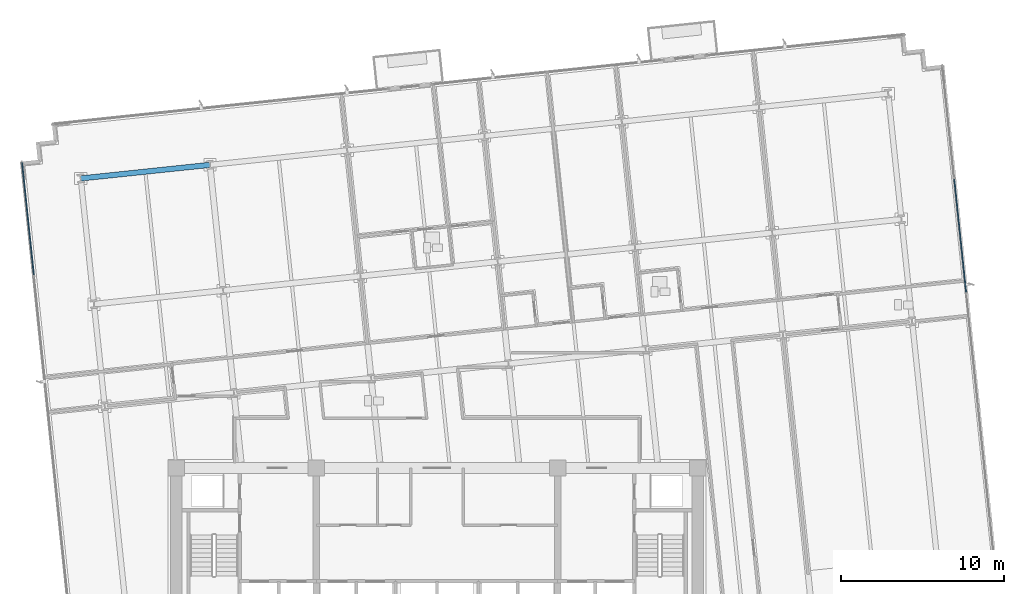
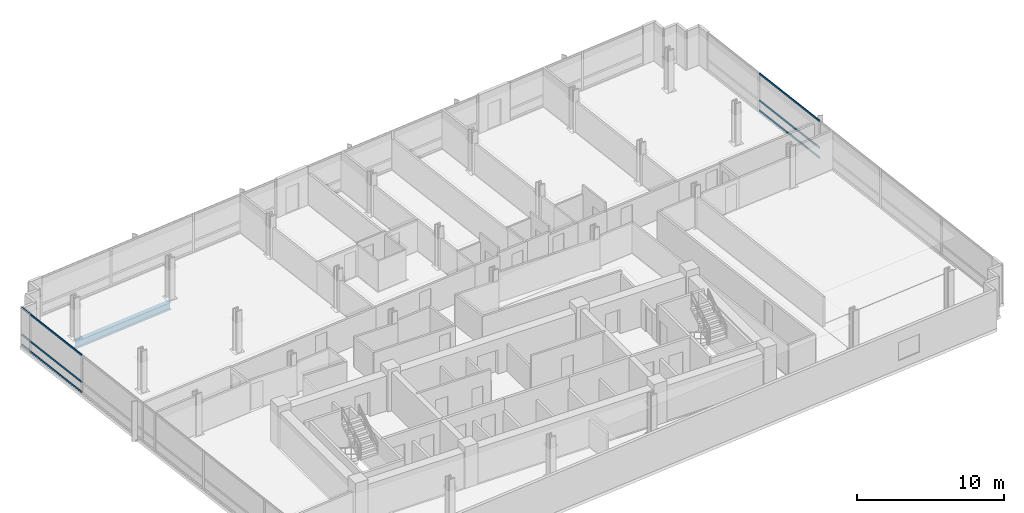
# One storey, part 6 of 17: 6 members, 1 beam, 2 elements without a shape of their own.
"""IFC4 building model written with IfcOpenShell, lengths in metres."""

from ifc_helpers import new_model, si_unit, direction, frame, origin, origin_2d, place, context, subcontext, project, spatial, rectangle, i_section, extrude, material, material_profile, profile_set, type_object, element, aggregate, save


model = new_model("IFC4")

# Units and contexts
model_context = context("Model", 3, precision=1e-05, world=origin(), true_north=direction((0.0, 1.0)))
body_context = subcontext(model_context, "Body", "Model", "MODEL_VIEW")
ifc_project = project(units=[si_unit("LENGTHUNIT", "METRE"), si_unit("AREAUNIT", "SQUARE_METRE"), si_unit("VOLUMEUNIT", "CUBIC_METRE"), si_unit("PLANEANGLEUNIT", "RADIAN"), si_unit("MASSUNIT", "GRAM", prefix="KILO")], contexts=[model_context])

# Site, building, storey
site_placement = place(None, origin())
site = spatial("IfcSite", under=ifc_project, at=site_placement, CompositionType="ELEMENT")
building_placement = place(site_placement, origin())
building = spatial("IfcBuilding", under=site, at=building_placement, Name="Solmavex Isthmus Hotel", CompositionType="ELEMENT")
storey_placement = place(building_placement, frame((0.0, 0.0, 93.89990234375)))
storey = spatial("IfcBuildingStorey", under=building, at=storey_placement, Name="L25", CompositionType="ELEMENT", Elevation=93.89990234375)

# Beam
ifc_material_1 = material(Name="Steel ASTM A992 Grade 50", Category="steel")
ifc_material_profile_1 = material_profile(ifc_material_1, i_section(OverallWidth=0.326416015625, OverallDepth=0.621826171875, WebThickness=0.015380859375, FlangeThickness=0.0244140625, FilletRadius=0.01513671875, at=origin_2d()), Name="W24X131")
ifc_profile_set_1 = profile_set([ifc_material_profile_1], Name="Steel ASTM A992 Grade 50")
beam_type = type_object("IfcBeamType", Name="BM-SP-W24X131", PredefinedType="SPANDREL", material=ifc_profile_set_1)
beam_placement = place(storey_placement, frame((-21.851806640625, 15.2587890625, -0.57080078125), z_axis=(0.994523402738, 0.104514120609, 0.0), x_axis=(-0.104514120609, 0.994523402738, 0.0)))
element("IfcBeam", 1, at=beam_placement, inside=storey, type_object=beam_type, Name="Floor Girder L25-UG19", PredefinedType="SPANDREL", context=body_context, shape_type="SweptSolid", body=[
    extrude(i_section(OverallWidth=0.326416015625, OverallDepth=0.621826171875, WebThickness=0.015380859375, FlangeThickness=0.0244140625, FilletRadius=0.01513671875, at=origin_2d()), origin(), (0.0, 0.0, 1.0), 7.968017578125),
])

# Curtain wall, members
ifc_material_2 = material(Name="Aluminium alloy 6063-T6", Category="aluminium")
curtain_wall_type = type_object("IfcCurtainWallType", Name="CW-SYS-03", PredefinedType="NOTDEFINED", material=ifc_material_2)
curtain_wall_1_placement = place(storey_placement, origin())
curtain_wall_1 = element("IfcCurtainWall", 2, at=curtain_wall_1_placement, inside=storey, type_object=curtain_wall_type, Name="Stick Curtain Wall CWL-L25-W1", PredefinedType="NOTDEFINED")
ifc_material_profile_2 = material_profile(ifc_material_2, rectangle(XDim=0.070068359375, YDim=0.139892578125, at=origin_2d()), Name="CWT-70X140")
ifc_profile_set_2 = profile_set([ifc_material_profile_2], Name="Aluminium alloy 6063-T6")
member_type = type_object("IfcMemberType", Name="CW-SYS-03-TRN", PredefinedType="USERDEFINED", material=ifc_profile_set_2)
member_1_placement = place(storey_placement, frame((-24.728759765625, 9.340576171875, 0.070068359375), z_axis=(-0.104539595565, 0.994520725254, 0.0), x_axis=(-0.994520725254, -0.104539595565, 0.0)))
member_1 = element("IfcMember", 3, at=member_1_placement, type_object=member_type, Name="CW-03 transom 5.1", ObjectType="TRANSOM", PredefinedType="USERDEFINED", context=body_context, shape_type="SweptSolid", body=[
    extrude(rectangle(XDim=0.070068359375, YDim=0.139892578125, at=origin_2d()), origin(), (0.0, 0.0, 1.0), 6.9150390625),
])
member_2_placement = place(storey_placement, frame((-24.728759765625, 9.340576171875, 0.900146484375), z_axis=(-0.104539595565, 0.994520725254, 0.0), x_axis=(-0.994520725254, -0.104539595565, 0.0)))
member_2 = element("IfcMember", 4, at=member_2_placement, type_object=member_type, Name="CW-03 transom 5.2", ObjectType="TRANSOM", PredefinedType="USERDEFINED", context=body_context, shape_type="SweptSolid", body=[
    extrude(rectangle(XDim=0.070068359375, YDim=0.139892578125, at=origin_2d()), origin(), (0.0, 0.0, 1.0), 6.9150390625),
])
member_3_placement = place(storey_placement, frame((-24.728759765625, 9.340576171875, 3.1201171875), z_axis=(-0.104539595565, 0.994520725254, 0.0), x_axis=(-0.994520725254, -0.104539595565, 0.0)))
member_3 = element("IfcMember", 5, at=member_3_placement, type_object=member_type, Name="CW-03 transom 5.3", ObjectType="TRANSOM", PredefinedType="USERDEFINED", context=body_context, shape_type="SweptSolid", body=[
    extrude(rectangle(XDim=0.070068359375, YDim=0.139892578125, at=origin_2d()), origin(), (0.0, 0.0, 1.0), 6.9150390625),
])
aggregate(curtain_wall_1, [member_1, member_2, member_3])

curtain_wall_2_placement = place(storey_placement, origin())
curtain_wall_2 = element("IfcCurtainWall", 6, at=curtain_wall_2_placement, inside=storey, type_object=curtain_wall_type, Name="Stick Curtain Wall CWL-L25-E1", PredefinedType="NOTDEFINED")
member_4_placement = place(storey_placement, frame((32.4541015625, 8.2919921875, 0.070068359375), z_axis=(-0.104538500317, 0.994520840381, 0.0), x_axis=(-0.994520840381, -0.104538500317, 0.0)))
member_4 = element("IfcMember", 7, at=member_4_placement, type_object=member_type, Name="CW-03 transom 4.1", ObjectType="TRANSOM", PredefinedType="USERDEFINED", context=body_context, shape_type="SweptSolid", body=[
    extrude(rectangle(XDim=0.070068359375, YDim=0.139892578125, at=origin_2d()), origin(), (0.0, 0.0, 1.0), 6.9501953125),
])
member_5_placement = place(storey_placement, frame((32.4541015625, 8.2919921875, 0.900146484375), z_axis=(-0.104538500317, 0.994520840381, 0.0), x_axis=(-0.994520840381, -0.104538500317, 0.0)))
member_5 = element("IfcMember", 8, at=member_5_placement, type_object=member_type, Name="CW-03 transom 4.2", ObjectType="TRANSOM", PredefinedType="USERDEFINED", context=body_context, shape_type="SweptSolid", body=[
    extrude(rectangle(XDim=0.070068359375, YDim=0.139892578125, at=origin_2d()), origin(), (0.0, 0.0, 1.0), 6.9501953125),
])
member_6_placement = place(storey_placement, frame((32.4541015625, 8.2919921875, 3.1201171875), z_axis=(-0.104538500317, 0.994520840381, 0.0), x_axis=(-0.994520840381, -0.104538500317, 0.0)))
member_6 = element("IfcMember", 9, at=member_6_placement, type_object=member_type, Name="CW-03 transom 4.3", ObjectType="TRANSOM", PredefinedType="USERDEFINED", context=body_context, shape_type="SweptSolid", body=[
    extrude(rectangle(XDim=0.070068359375, YDim=0.139892578125, at=origin_2d()), origin(), (0.0, 0.0, 1.0), 6.9501953125),
])
aggregate(curtain_wall_2, [member_4, member_5, member_6])

save(model, "model.ifc")
